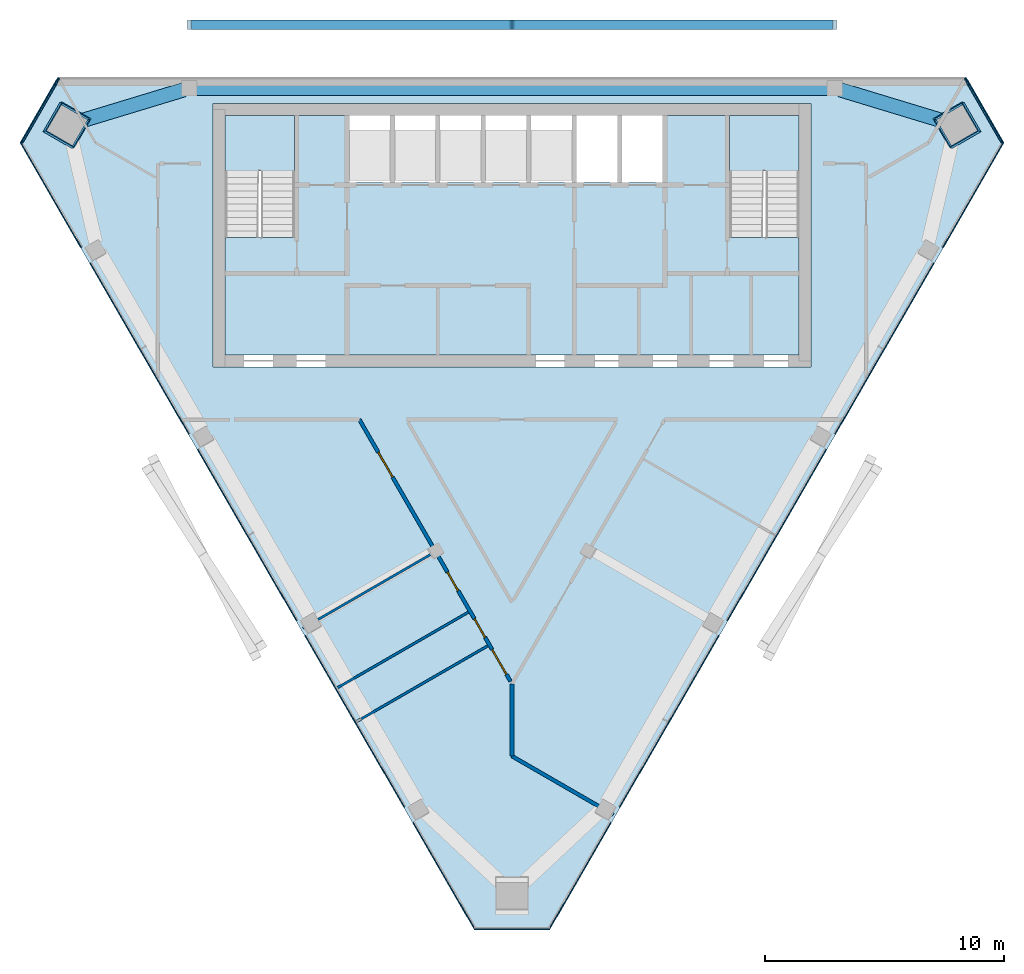
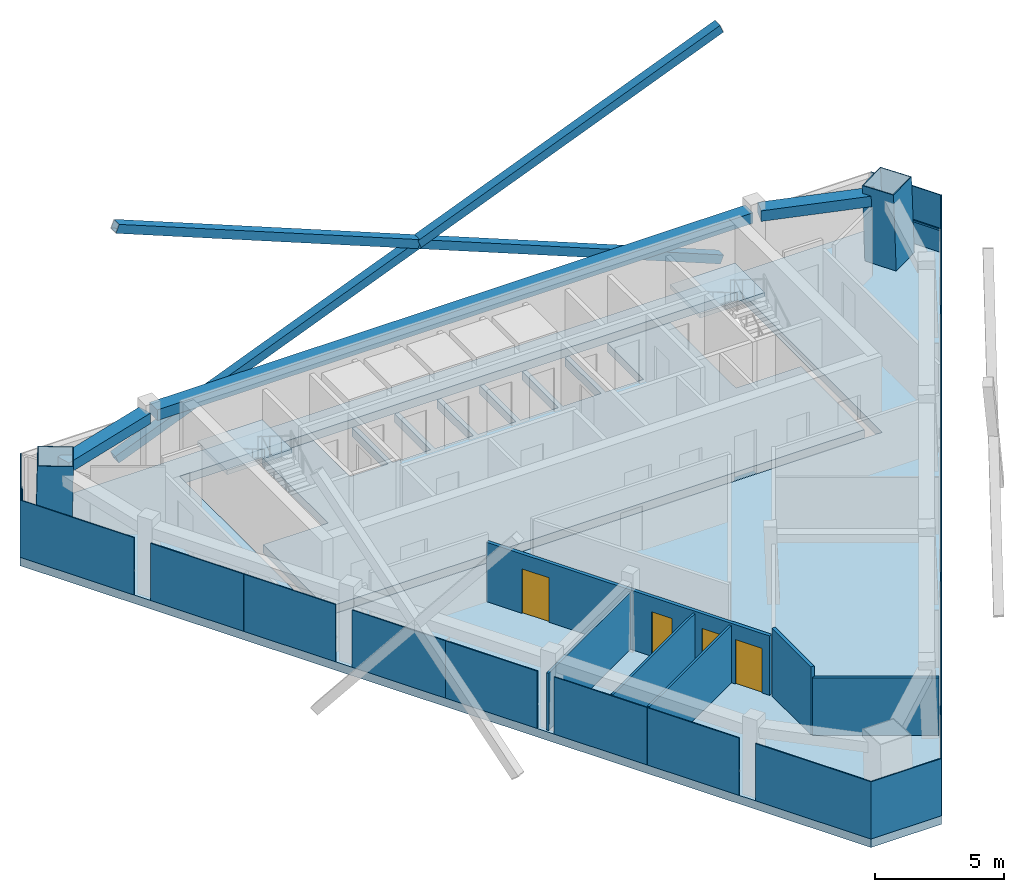
# One storey, part 5 of 10: 19 plates, 8 members, 6 walls, 4 doors, 4 slabs, 3 beams, 4 openings, 7 elements without a shape of their own.
"""IFC4 building model written with IfcOpenShell, lengths in metres."""

from ifc_helpers import new_model, si_unit, direction, frame, frame_2d, origin, origin_2d, place, context, subcontext, project, spatial, polyline, rectangle, hollow_rectangle, outline, extrude, material, layer, layer_set, material_profile, profile_set, type_object, element, fill, aggregate, save


model = new_model("IFC4")

# Units and contexts
model_context = context("Model", 3, precision=1e-05, world=origin(), true_north=direction((0.0, 1.0)))
body_context = subcontext(model_context, "Body", "Model", "MODEL_VIEW")
ifc_project = project(units=[si_unit("LENGTHUNIT", "METRE"), si_unit("AREAUNIT", "SQUARE_METRE"), si_unit("VOLUMEUNIT", "CUBIC_METRE"), si_unit("PLANEANGLEUNIT", "RADIAN"), si_unit("MASSUNIT", "GRAM", prefix="KILO")], contexts=[model_context])

# Site, building, storey
site_placement = place(None, origin())
site = spatial("IfcSite", under=ifc_project, at=site_placement, CompositionType="ELEMENT")
building_placement = place(site_placement, origin())
building = spatial("IfcBuilding", under=site, at=building_placement, Name="Altiplano Prism Tower", CompositionType="ELEMENT")
storey_placement = place(building_placement, frame((0.0, 0.0, 347.199951171875)))
storey = spatial("IfcBuildingStorey", under=building, at=storey_placement, Name="L90", CompositionType="ELEMENT", Elevation=347.199951171875)

# Curtain wall, member
ifc_material_1 = material(Name="Aluminium and glass", Category="aluminium")
ifc_layer_1 = layer(ifc_material_1, 0.303955078125)
ifc_layer_set_1 = layer_set([ifc_layer_1], Name="Aluminium and glass")
curtain_wall_type = type_object("IfcCurtainWallType", Name="CW2 lounge-band unitised glazing", PredefinedType="NOTDEFINED", material=ifc_layer_set_1)
curtain_wall_1_placement = place(storey_placement, origin())
curtain_wall_1 = element("IfcCurtainWall", 1, at=curtain_wall_1_placement, inside=storey, type_object=curtain_wall_type, Name="CW2 curtain wall north-west chamfer L90", PredefinedType="NOTDEFINED")
ifc_material_2 = material(Name="Aluminium", Category="aluminium")
ifc_material_profile_1 = material_profile(ifc_material_2, rectangle(XDim=0.06005859375, YDim=0.080078125, at=origin_2d()), Name="CW2 transom 80 x 60")
ifc_profile_set_1 = profile_set([ifc_material_profile_1], Name="Aluminium")
member_type_1 = type_object("IfcMemberType", Name="CW2 transom 80 x 60", PredefinedType="USERDEFINED", material=ifc_profile_set_1)
member_1_placement = place(storey_placement, frame((66.07421875, 104.962890625, 1.10009765625), z_axis=(-0.500010598107, -0.866019284878, 0.0), x_axis=(0.866019284878, -0.500010598107, 0.0)))
member_1 = element("IfcMember", 2, at=member_1_placement, type_object=member_type_1, Name="CW2 transom", ObjectType="TRANSOM", PredefinedType="USERDEFINED", context=body_context, shape_type="SweptSolid", body=[
    extrude(rectangle(XDim=0.06005859375, YDim=0.080078125, at=origin_2d()), origin(), (0.0, 0.0, 1.0), 3.15380859375),
])

curtain_wall_2_placement = place(storey_placement, origin())
curtain_wall_2 = element("IfcCurtainWall", 3, at=curtain_wall_2_placement, inside=storey, type_object=curtain_wall_type, Name="CW2 curtain wall north-east chamfer L90", PredefinedType="NOTDEFINED")
member_2_placement = place(storey_placement, frame((105.502685546875, 102.231689453125, 1.10009765625), z_axis=(-0.500010598107, 0.866019284878, 0.0), x_axis=(-0.866019284878, -0.500010598107, 0.0)))
member_2 = element("IfcMember", 4, at=member_2_placement, type_object=member_type_1, Name="CW2 transom", ObjectType="TRANSOM", PredefinedType="USERDEFINED", context=body_context, shape_type="SweptSolid", body=[
    extrude(rectangle(XDim=0.06005859375, YDim=0.080078125, at=origin_2d()), origin(), (0.0, 0.0, 1.0), 3.15380859375),
])

# Beams
ifc_material_3 = material(Name="Concrete C60/75", Category="concrete")
ifc_material_profile_2 = material_profile(ifc_material_3, rectangle(XDim=0.60009765625, YDim=0.5, at=origin_2d()), Name="Edge beam 600x500")
ifc_profile_set_2 = profile_set([ifc_material_profile_2], Name="Concrete C60/75")
beam_type = type_object("IfcBeamType", Name="Edge beam 600x500", PredefinedType="SPANDREL", material=ifc_profile_set_2)
beam_1_placement = place(storey_placement, frame((103.11962890625, 103.148193359375, 2.949951171875), z_axis=(-0.956907133233, 0.290394108701, 0.0), x_axis=(-0.290394108701, -0.956907133233, 0.0)))
element("IfcBeam", 5, at=beam_1_placement, inside=storey, type_object=beam_type, Name="Edge beam M2-P01 L91", PredefinedType="SPANDREL", context=body_context, shape_type="SweptSolid", body=[
    extrude(rectangle(XDim=0.60009765625, YDim=0.5, at=origin_2d()), origin(), (0.0, 0.0, 1.0), 4.60791015625),
])
beam_2_placement = place(storey_placement, frame((98.294921875, 104.550048828125, 2.949951171875), z_axis=(-1.0, 0.0, 0.0), x_axis=(0.0, -1.0, 0.0)))
element("IfcBeam", 6, at=beam_2_placement, inside=storey, type_object=beam_type, Name="Edge beam P01-P04 L91", PredefinedType="SPANDREL", context=body_context, shape_type="SweptSolid", body=[
    extrude(rectangle(XDim=0.60009765625, YDim=0.5, at=origin_2d()), origin(), (0.0, 0.0, 1.0), 26.58984375),
])
beam_3_placement = place(storey_placement, frame((71.289794921875, 104.486328125, 2.949951171875), z_axis=(-0.956907133233, -0.290394108701, 0.0), x_axis=(0.290394108701, -0.956907133233, 0.0)))
element("IfcBeam", 7, at=beam_3_placement, inside=storey, type_object=beam_type, Name="Edge beam P04-M0 L91", PredefinedType="SPANDREL", context=body_context, shape_type="SweptSolid", body=[
    extrude(rectangle(XDim=0.60009765625, YDim=0.5, at=origin_2d()), origin(), (0.0, 0.0, 1.0), 4.60791015625),
])

# Members
ifc_material_4 = material(Name="Steel S355", Category="steel")
ifc_material_profile_3 = material_profile(ifc_material_4, hollow_rectangle(XDim=0.39990234375, YDim=0.39990234375, WallThickness=0.02001953125, at=origin_2d()), Name="Mega brace Box 400x400x20")
ifc_profile_set_3 = profile_set([ifc_material_profile_3], Name="Steel S355")
member_type_2 = type_object("IfcMemberType", Name="Mega brace Box 400x400x20", PredefinedType="BRACE", material=ifc_profile_set_3)
member_3_placement = place(storey_placement, frame((98.5, 107.199951171875, -0.75), z_axis=(-0.927288859176, 0.0, 0.374346592943), x_axis=(0.0, -1.0, 0.0)))
element("IfcMember", 8, at=member_3_placement, inside=storey, type_object=member_type_2, Name="Mega brace 11.0.1", PredefinedType="BRACE", context=body_context, shape_type="SweptSolid", body=[
    extrude(hollow_rectangle(XDim=0.39990234375, YDim=0.39990234375, WallThickness=0.02001953125, at=origin_2d()), origin(), (0.0, 0.0, 1.0), 14.55859375),
])
member_4_placement = place(storey_placement, frame((85.0, 107.199951171875, 4.699951171875), z_axis=(-0.927284888264, 0.0, 0.374356429085), x_axis=(0.0, -1.0, 0.0)))
element("IfcMember", 9, at=member_4_placement, inside=storey, type_object=member_type_2, Name="Mega brace 11.0.2", PredefinedType="BRACE", context=body_context, shape_type="SweptSolid", body=[
    extrude(hollow_rectangle(XDim=0.39990234375, YDim=0.39990234375, WallThickness=0.02001953125, at=origin_2d()), origin(), (0.0, 0.0, 1.0), 14.53857421875),
])
member_5_placement = place(storey_placement, frame((71.5, 107.199951171875, -0.75), z_axis=(0.927288859176, 0.0, 0.374346592943), x_axis=(0.0, 1.0, 0.0)))
element("IfcMember", 10, at=member_5_placement, inside=storey, type_object=member_type_2, Name="Mega brace 11.0.3", PredefinedType="BRACE", context=body_context, shape_type="SweptSolid", body=[
    extrude(hollow_rectangle(XDim=0.39990234375, YDim=0.39990234375, WallThickness=0.02001953125, at=origin_2d()), origin(), (0.0, 0.0, 1.0), 14.55859375),
])
member_6_placement = place(storey_placement, frame((85.0, 107.199951171875, 4.699951171875), z_axis=(0.927284888264, 0.0, 0.374356429085), x_axis=(0.0, 1.0, 0.0)))
element("IfcMember", 11, at=member_6_placement, inside=storey, type_object=member_type_2, Name="Mega brace 11.0.4", PredefinedType="BRACE", context=body_context, shape_type="SweptSolid", body=[
    extrude(hollow_rectangle(XDim=0.39990234375, YDim=0.39990234375, WallThickness=0.02001953125, at=origin_2d()), origin(), (0.0, 0.0, 1.0), 14.53857421875),
])
ifc_material_5 = material(Name="Steel S460", Category="steel")
ifc_material_profile_4 = material_profile(ifc_material_5, hollow_rectangle(XDim=1.39990234375, YDim=1.39990234375, WallThickness=0.0400390625, at=origin_2d()), Name="Mega column tube 1400")
ifc_profile_set_4 = profile_set([ifc_material_profile_4], Name="Steel S460")
member_type_3 = type_object("IfcMemberType", Name="Mega column tube 1400", PredefinedType="POST", material=ifc_profile_set_4)
for number, where, z_axis, x_axis, name in (
    (12, (66.347412109375, 102.984375, 0.0), (0.028401814599, 0.009218727412, 0.999554076572), (-0.865125874126, 0.501157480114, 0.019960011119), "Mega column tube M0 L90"),
    (13, (103.652587890625, 102.984375, 0.0), (-0.028401814599, 0.009218727412, 0.999554076572), (0.500749996351, -0.865306994766, 0.022209141446), "Mega column tube M2 L90"),
):
    element("IfcMember", number, at=place(storey_placement, frame(where, z_axis=z_axis, x_axis=x_axis)), inside=storey, type_object=member_type_3, Name=name, PredefinedType="POST", context=body_context, shape_type="SweptSolid", body=[
        extrude(hollow_rectangle(XDim=1.39990234375, YDim=1.39990234375, WallThickness=0.0400390625, at=origin_2d()), origin(), (0.0, 0.0, 1.0), 3.601806640625),
    ])

# Plate
ifc_material_6 = material(Name="Clear glass", Category="glass")
ifc_layer_2 = layer(ifc_material_6, 0.0439453125)
ifc_layer_set_2 = layer_set([ifc_layer_2], Name="Clear glass")
plate_type = type_object("IfcPlateType", Name="CW2 insulated glass unit 44", PredefinedType="CURTAIN_PANEL", material=ifc_layer_set_2)
plate_1_placement = place(storey_placement, frame((65.24072265625, 103.623291015625, 0.0), z_axis=(0.0, 0.0, 1.0), x_axis=(-0.500000022249, -0.866025390939, 0.0)))
plate_1 = element("IfcPlate", 14, at=plate_1_placement, type_object=plate_type, Name="CW2 panel", PredefinedType="CURTAIN_PANEL", context=body_context, shape_type="SweptSolid", body=[
    extrude(rectangle(XDim=3.14404296875, YDim=0.0439453125, at=origin_2d()), origin(), (0.0, 0.0, 1.0), 2.699951171875),
])

aggregate(curtain_wall_1, [member_1, plate_1])

# Curtain wall, plates
curtain_wall_3_placement = place(storey_placement, origin())
curtain_wall_3 = element("IfcCurtainWall", 15, at=curtain_wall_3_placement, inside=storey, type_object=curtain_wall_type, Name="CW2 curtain wall south-west face L90", PredefinedType="NOTDEFINED")
plate_2_placement = place(storey_placement, frame((65.7236328125, 100.07763671875, 0.0), z_axis=(0.0, 0.0, 1.0), x_axis=(0.500000007028, -0.866025399727, 0.0)))
plate_2 = element("IfcPlate", 16, at=plate_2_placement, type_object=plate_type, Name="CW2 panel", PredefinedType="CURTAIN_PANEL", context=body_context, shape_type="SweptSolid", body=[
    extrude(rectangle(XDim=5.0751953125, YDim=0.0439453125, at=origin_2d()), origin(), (0.0, 0.0, 1.0), 2.699951171875),
])
plate_3_placement = place(storey_placement, frame((68.4033203125, 95.43603515625, 0.0), z_axis=(0.0, 0.0, 1.0), x_axis=(0.500000007028, -0.866025399727, 0.0)))
plate_3 = element("IfcPlate", 17, at=plate_3_placement, type_object=plate_type, Name="CW2 panel", PredefinedType="CURTAIN_PANEL", context=body_context, shape_type="SweptSolid", body=[
    extrude(rectangle(XDim=4.1650390625, YDim=0.0439453125, at=origin_2d()), origin(), (0.0, 0.0, 1.0), 2.699951171875),
])
plate_4_placement = place(storey_placement, frame((70.470947265625, 91.854736328125, 0.0), z_axis=(0.0, 0.0, 1.0), x_axis=(0.500000007028, -0.866025399727, 0.0)))
plate_4 = element("IfcPlate", 18, at=plate_4_placement, type_object=plate_type, Name="CW2 panel", PredefinedType="CURTAIN_PANEL", context=body_context, shape_type="SweptSolid", body=[
    extrude(rectangle(XDim=4.08544921875, YDim=0.0439453125, at=origin_2d()), origin(), (0.0, 0.0, 1.0), 2.699951171875),
])
plate_5_placement = place(storey_placement, frame((72.9033203125, 87.6416015625, 0.0), z_axis=(0.0, 0.0, 1.0), x_axis=(0.500000007028, -0.866025399727, 0.0)))
plate_5 = element("IfcPlate", 19, at=plate_5_placement, type_object=plate_type, Name="CW2 panel", PredefinedType="CURTAIN_PANEL", context=body_context, shape_type="SweptSolid", body=[
    extrude(rectangle(XDim=4.1650390625, YDim=0.0439453125, at=origin_2d()), origin(), (0.0, 0.0, 1.0), 2.699951171875),
])
plate_6_placement = place(storey_placement, frame((74.970947265625, 84.060546875, 0.0), z_axis=(0.0, 0.0, 1.0), x_axis=(0.500000007028, -0.866025399727, 0.0)))
plate_6 = element("IfcPlate", 20, at=plate_6_placement, type_object=plate_type, Name="CW2 panel", PredefinedType="CURTAIN_PANEL", context=body_context, shape_type="SweptSolid", body=[
    extrude(rectangle(XDim=4.08544921875, YDim=0.0439453125, at=origin_2d()), origin(), (0.0, 0.0, 1.0), 2.699951171875),
])
plate_7_placement = place(storey_placement, frame((77.4033203125, 79.847412109375, 0.0), z_axis=(0.0, 0.0, 1.0), x_axis=(0.500000007028, -0.866025399727, 0.0)))
plate_7 = element("IfcPlate", 21, at=plate_7_placement, type_object=plate_type, Name="CW2 panel", PredefinedType="CURTAIN_PANEL", context=body_context, shape_type="SweptSolid", body=[
    extrude(rectangle(XDim=4.1650390625, YDim=0.0439453125, at=origin_2d()), origin(), (0.0, 0.0, 1.0), 2.699951171875),
])
plate_8_placement = place(storey_placement, frame((79.470947265625, 76.266357421875, 0.0), z_axis=(0.0, 0.0, 1.0), x_axis=(0.500000007028, -0.866025399727, 0.0)))
plate_8 = element("IfcPlate", 22, at=plate_8_placement, type_object=plate_type, Name="CW2 panel", PredefinedType="CURTAIN_PANEL", context=body_context, shape_type="SweptSolid", body=[
    extrude(rectangle(XDim=4.08544921875, YDim=0.0439453125, at=origin_2d()), origin(), (0.0, 0.0, 1.0), 2.699951171875),
])
plate_9_placement = place(storey_placement, frame((82.15087890625, 71.62451171875, 0.0), z_axis=(0.0, 0.0, 1.0), x_axis=(0.500000007028, -0.866025399727, 0.0)))
plate_9 = element("IfcPlate", 23, at=plate_9_placement, type_object=plate_type, Name="CW2 panel", PredefinedType="CURTAIN_PANEL", context=body_context, shape_type="SweptSolid", body=[
    extrude(rectangle(XDim=5.15478515625, YDim=0.0439453125, at=origin_2d()), origin(), (0.0, 0.0, 1.0), 2.699951171875),
])
aggregate(curtain_wall_3, [plate_2, plate_3, plate_4, plate_5, plate_6, plate_7, plate_8, plate_9])

# Curtain wall, plate
curtain_wall_4_placement = place(storey_placement, origin())
curtain_wall_4 = element("IfcCurtainWall", 24, at=curtain_wall_4_placement, inside=storey, type_object=curtain_wall_type, Name="CW2 curtain wall south chamfer L90", PredefinedType="NOTDEFINED")
plate_10_placement = place(storey_placement, frame((85.0, 69.399169921875, 0.0), z_axis=(0.0, 0.0, 1.0), x_axis=(1.0, 0.0, 0.0)))
plate_10 = element("IfcPlate", 25, at=plate_10_placement, type_object=plate_type, Name="CW2 panel", PredefinedType="CURTAIN_PANEL", context=body_context, shape_type="SweptSolid", body=[
    extrude(rectangle(XDim=3.14404296875, YDim=0.0439453125, at=origin_2d()), origin(), (0.0, 0.0, 1.0), 2.699951171875),
])
aggregate(curtain_wall_4, [plate_10])

# Curtain wall, plates
curtain_wall_5_placement = place(storey_placement, origin())
curtain_wall_5 = element("IfcCurtainWall", 26, at=curtain_wall_5_placement, inside=storey, type_object=curtain_wall_type, Name="CW2 curtain wall south-east face L90", PredefinedType="NOTDEFINED")
plate_11_placement = place(storey_placement, frame((87.84912109375, 71.62451171875, 0.0), z_axis=(0.0, 0.0, 1.0), x_axis=(0.500000007028, 0.866025399727, 0.0)))
plate_11 = element("IfcPlate", 27, at=plate_11_placement, type_object=plate_type, Name="CW2 panel", PredefinedType="CURTAIN_PANEL", context=body_context, shape_type="SweptSolid", body=[
    extrude(rectangle(XDim=5.15478515625, YDim=0.0439453125, at=origin_2d()), origin(), (0.0, 0.0, 1.0), 2.699951171875),
])
plate_12_placement = place(storey_placement, frame((90.529052734375, 76.266357421875, 0.0), z_axis=(0.0, 0.0, 1.0), x_axis=(0.500000007028, 0.866025399727, 0.0)))
plate_12 = element("IfcPlate", 28, at=plate_12_placement, type_object=plate_type, Name="CW2 panel", PredefinedType="CURTAIN_PANEL", context=body_context, shape_type="SweptSolid", body=[
    extrude(rectangle(XDim=4.08544921875, YDim=0.0439453125, at=origin_2d()), origin(), (0.0, 0.0, 1.0), 2.699951171875),
])
plate_13_placement = place(storey_placement, frame((92.5966796875, 79.847412109375, 0.0), z_axis=(0.0, 0.0, 1.0), x_axis=(0.500000007028, 0.866025399727, 0.0)))
plate_13 = element("IfcPlate", 29, at=plate_13_placement, type_object=plate_type, Name="CW2 panel", PredefinedType="CURTAIN_PANEL", context=body_context, shape_type="SweptSolid", body=[
    extrude(rectangle(XDim=4.1650390625, YDim=0.0439453125, at=origin_2d()), origin(), (0.0, 0.0, 1.0), 2.699951171875),
])
plate_14_placement = place(storey_placement, frame((95.029052734375, 84.060546875, 0.0), z_axis=(0.0, 0.0, 1.0), x_axis=(0.500000007028, 0.866025399727, 0.0)))
plate_14 = element("IfcPlate", 30, at=plate_14_placement, type_object=plate_type, Name="CW2 panel", PredefinedType="CURTAIN_PANEL", context=body_context, shape_type="SweptSolid", body=[
    extrude(rectangle(XDim=4.08544921875, YDim=0.0439453125, at=origin_2d()), origin(), (0.0, 0.0, 1.0), 2.699951171875),
])
plate_15_placement = place(storey_placement, frame((97.0966796875, 87.6416015625, 0.0), z_axis=(0.0, 0.0, 1.0), x_axis=(0.500000007028, 0.866025399727, 0.0)))
plate_15 = element("IfcPlate", 31, at=plate_15_placement, type_object=plate_type, Name="CW2 panel", PredefinedType="CURTAIN_PANEL", context=body_context, shape_type="SweptSolid", body=[
    extrude(rectangle(XDim=4.1650390625, YDim=0.0439453125, at=origin_2d()), origin(), (0.0, 0.0, 1.0), 2.699951171875),
])
plate_16_placement = place(storey_placement, frame((99.529052734375, 91.854736328125, 0.0), z_axis=(0.0, 0.0, 1.0), x_axis=(0.500000007028, 0.866025399727, 0.0)))
plate_16 = element("IfcPlate", 32, at=plate_16_placement, type_object=plate_type, Name="CW2 panel", PredefinedType="CURTAIN_PANEL", context=body_context, shape_type="SweptSolid", body=[
    extrude(rectangle(XDim=4.08544921875, YDim=0.0439453125, at=origin_2d()), origin(), (0.0, 0.0, 1.0), 2.699951171875),
])
plate_17_placement = place(storey_placement, frame((101.5966796875, 95.43603515625, 0.0), z_axis=(0.0, 0.0, 1.0), x_axis=(0.500000007028, 0.866025399727, 0.0)))
plate_17 = element("IfcPlate", 33, at=plate_17_placement, type_object=plate_type, Name="CW2 panel", PredefinedType="CURTAIN_PANEL", context=body_context, shape_type="SweptSolid", body=[
    extrude(rectangle(XDim=4.1650390625, YDim=0.0439453125, at=origin_2d()), origin(), (0.0, 0.0, 1.0), 2.699951171875),
])
plate_18_placement = place(storey_placement, frame((104.2763671875, 100.07763671875, 0.0), z_axis=(0.0, 0.0, 1.0), x_axis=(0.500000007028, 0.866025399727, 0.0)))
plate_18 = element("IfcPlate", 34, at=plate_18_placement, type_object=plate_type, Name="CW2 panel", PredefinedType="CURTAIN_PANEL", context=body_context, shape_type="SweptSolid", body=[
    extrude(rectangle(XDim=5.0751953125, YDim=0.0439453125, at=origin_2d()), origin(), (0.0, 0.0, 1.0), 2.699951171875),
])
aggregate(curtain_wall_5, [plate_11, plate_12, plate_13, plate_14, plate_15, plate_16, plate_17, plate_18])

# Plate
plate_19_placement = place(storey_placement, frame((104.75927734375, 103.623291015625, 0.0), z_axis=(0.0, 0.0, 1.0), x_axis=(-0.500000022249, 0.866025390939, 0.0)))
plate_19 = element("IfcPlate", 35, at=plate_19_placement, type_object=plate_type, Name="CW2 panel", PredefinedType="CURTAIN_PANEL", context=body_context, shape_type="SweptSolid", body=[
    extrude(rectangle(XDim=3.14404296875, YDim=0.0439453125, at=origin_2d()), origin(), (0.0, 0.0, 1.0), 2.699951171875),
])

aggregate(curtain_wall_2, [member_2, plate_19])

# Slabs
ifc_material_7 = material(Name="Concrete C40/50", Category="concrete")
ifc_layer_3 = layer(ifc_material_7, 0.39990234375)
ifc_layer_set_3 = layer_set([ifc_layer_3], Name="Concrete C40/50")
slab_type_1 = type_object("IfcSlabType", Name="Core floor slab 400", PredefinedType="FLOOR", material=ifc_layer_set_3)
slab_1_placement = place(storey_placement, frame((0.0, 0.0, -0.39990234375)))
element("IfcSlab", 36, at=slab_1_placement, inside=storey, type_object=slab_type_1, Name="Core floor slab L90", PredefinedType="FLOOR", context=body_context, shape_type="SweptSolid", body=[
    extrude(outline(polyline([(97.0, 98.31005859375), (94.10009765625, 98.31005859375), (94.10009765625, 103.39990234375), (91.300048828125, 103.39990234375), (91.300048828125, 100.60009765625), (89.60009765625, 100.60009765625), (89.60009765625, 103.39990234375), (89.39990234375, 103.39990234375), (89.39990234375, 100.60009765625), (87.699951171875, 100.60009765625), (87.699951171875, 103.39990234375), (87.5, 103.39990234375), (87.5, 100.60009765625), (85.800048828125, 100.60009765625), (85.800048828125, 103.39990234375), (85.60009765625, 103.39990234375), (85.60009765625, 100.60009765625), (83.89990234375, 100.60009765625), (83.89990234375, 103.39990234375), (83.699951171875, 103.39990234375), (83.699951171875, 100.60009765625), (82.0, 100.60009765625), (82.0, 103.39990234375), (81.800048828125, 103.39990234375), (81.800048828125, 100.60009765625), (80.10009765625, 100.60009765625), (80.10009765625, 103.39990234375), (79.89990234375, 103.39990234375), (79.89990234375, 100.60009765625), (78.199951171875, 100.60009765625), (78.199951171875, 103.39990234375), (75.89990234375, 103.39990234375), (75.89990234375, 98.31005859375), (73.0, 98.31005859375), (73.0, 93.39990234375), (97.0, 93.39990234375), (97.0, 98.31005859375)])), origin(), (0.0, 0.0, 1.0), 0.39990234375),
])
ifc_layer_4 = layer(ifc_material_7, 0.39990234375)
ifc_layer_set_4 = layer_set([ifc_layer_4], Name="Concrete C40/50")
slab_type_2 = type_object("IfcSlabType", Name="Post-tensioned flat slab 400", PredefinedType="FLOOR", material=ifc_layer_set_4)
slab_2_placement = place(storey_placement, frame((0.0, 0.0, -0.39990234375)))
element("IfcSlab", 37, at=slab_2_placement, inside=storey, type_object=slab_type_2, Name="Floor slab L90", PredefinedType="FLOOR", context=body_context, shape_type="SweptSolid", body=[
    extrude(outline(polyline([(105.56689453125, 102.2685546875), (86.576904296875, 69.377197265625), (83.423095703125, 69.377197265625), (64.43310546875, 102.2685546875), (66.01025390625, 105.0), (103.98974609375, 105.0), (105.56689453125, 102.2685546875)]), holes=[polyline([(97.5, 92.89990234375), (97.5, 103.89990234375), (72.5, 103.89990234375), (72.5, 92.89990234375), (97.5, 92.89990234375)])]), origin(), (0.0, 0.0, 1.0), 0.39990234375),
])

# Stair, slab
stair_type = type_object("IfcStairType", Name="Exit stair 1400", PredefinedType="HALF_TURN_STAIR", material=ifc_material_7)
stair_1_placement = place(storey_placement, origin())
stair_1 = element("IfcStair", 38, at=stair_1_placement, inside=storey, type_object=stair_type, Name="L90 Exit Stair 1", PredefinedType="HALF_TURN_STAIR")
ifc_layer_5 = layer(ifc_material_7, 0.199951171875)
ifc_layer_set_5 = layer_set([ifc_layer_5], Name="Concrete C40/50")
slab_type_3 = type_object("IfcSlabType", Name="Stair landing 200", PredefinedType="LANDING", material=ifc_layer_set_5)
slab_3_placement = place(storey_placement, frame((0.0, 0.0, 1.60009765625)))
slab_3 = element("IfcSlab", 39, at=slab_3_placement, type_object=slab_type_3, Name="ST1 landing 1", PredefinedType="LANDING", context=body_context, shape_type="SweptSolid", body=[
    extrude(outline(polyline([(75.89990234375, 101.096923828125), (75.89990234375, 103.39990234375), (73.0, 103.39990234375), (73.0, 101.096923828125), (75.89990234375, 101.096923828125)])), origin(), (0.0, 0.0, 1.0), 0.199951171875),
])
aggregate(stair_1, [slab_3])

stair_2_placement = place(storey_placement, origin())
stair_2 = element("IfcStair", 40, at=stair_2_placement, inside=storey, type_object=stair_type, Name="L90 Exit Stair 2", PredefinedType="HALF_TURN_STAIR")
slab_4_placement = place(storey_placement, frame((0.0, 0.0, 1.60009765625)))
slab_4 = element("IfcSlab", 41, at=slab_4_placement, type_object=slab_type_3, Name="ST2 landing 1", PredefinedType="LANDING", context=body_context, shape_type="SweptSolid", body=[
    extrude(outline(polyline([(97.0, 101.096923828125), (97.0, 103.39990234375), (94.10009765625, 103.39990234375), (94.10009765625, 101.096923828125), (97.0, 101.096923828125)])), origin(), (0.0, 0.0, 1.0), 0.199951171875),
])
aggregate(stair_2, [slab_4])

# Walls
ifc_material_8 = material(Name="Plasterboard on steel stud", Category="steel")
ifc_layer_6 = layer(ifc_material_8, 0.10009765625)
ifc_layer_set_6 = layer_set([ifc_layer_6], Name="Plasterboard on steel stud")
wall_type_1 = type_object("IfcWallType", Name="Partition 100 wet", PredefinedType="PARTITIONING", material=ifc_layer_set_6)
wall_1_placement = place(storey_placement, frame((76.2646484375, 81.975830078125, 0.0), z_axis=(0.0, 0.0, 1.0), x_axis=(0.866032601554, 0.49998753289, 0.0)))
element("IfcWall", 42, at=wall_1_placement, inside=storey, type_object=wall_type_1, Name="Partition P03 L90 015", PredefinedType="PARTITIONING", context=body_context, shape_type="SweptSolid", body=[
    extrude(rectangle(XDim=6.324951171875, YDim=0.10009765625, at=frame_2d((3.16259765625, 0.0))), origin(), (0.0, 0.0, 1.0), 2.699951171875),
])
wall_2_placement = place(storey_placement, frame((77.68896484375, 79.47705078125, 0.0), z_axis=(0.0, 0.0, 1.0), x_axis=(0.866031065609, 0.499990193304, 0.0)))
element("IfcWall", 43, at=wall_2_placement, inside=storey, type_object=wall_type_1, Name="Partition P03 L90 016", PredefinedType="PARTITIONING", context=body_context, shape_type="SweptSolid", body=[
    extrude(rectangle(XDim=6.341064453125, YDim=0.10009765625, at=frame_2d((3.17041015625, 0.0))), origin(), (0.0, 0.0, 1.0), 2.699951171875),
])
wall_3_placement = place(storey_placement, frame((78.5146484375, 78.07861328125, 0.0), z_axis=(0.0, 0.0, 1.0), x_axis=(0.866025537322, 0.499999768706, 0.0)))
element("IfcWall", 44, at=wall_3_placement, inside=storey, type_object=wall_type_1, Name="Partition P03 L90 017", PredefinedType="PARTITIONING", context=body_context, shape_type="SweptSolid", body=[
    extrude(rectangle(XDim=6.3251953125, YDim=0.10009765625, at=frame_2d((3.16259765625, 0.0))), origin(), (0.0, 0.0, 1.0), 2.699951171875),
])

# Wall, openings, doors
ifc_layer_7 = layer(ifc_material_8, 0.14990234375)
ifc_layer_set_7 = layer_set([ifc_layer_7], Name="Plasterboard on steel stud")
wall_type_2 = type_object("IfcWallType", Name="Partition 150 corridor", PredefinedType="PARTITIONING", material=ifc_layer_set_7)
wall_4_placement = place(storey_placement, frame((78.617919921875, 90.699951171875, 0.0), z_axis=(0.0, 0.0, 1.0), x_axis=(0.499998449073, -0.866026299211, 0.0)))
wall_4 = element("IfcWall", 45, at=wall_4_placement, inside=storey, type_object=wall_type_2, Name="Partition P06 L90 004", PredefinedType="PARTITIONING", context=body_context, shape_type="SweptSolid", body=[
    extrude(rectangle(XDim=12.63427734375, YDim=0.14990234375, at=frame_2d((6.317138671875, 0.0))), origin(), (0.0, 0.0, 1.0), 2.800048828125),
])
opening_1_placement = place(wall_4_placement, frame((1.5810546875, 0.0, 0.0)))
opening_1 = element("IfcOpeningElement", 46, at=opening_1_placement, cuts=wall_4, Name="Opening D2521", PredefinedType="OPENING", context=body_context, shape_type="SweptSolid", body=[
    extrude(rectangle(XDim=1.199951171875, YDim=2.10009765625, at=frame_2d((0.60009765625, 1.050048828125))), frame((0.0, 0.08544921875, 0.0), z_axis=(0.0, -1.0, 0.0), x_axis=(1.0, 0.0, 0.0)), (0.0, 0.0, 1.0), 0.1708984375),
])
opening_2_placement = place(wall_4_placement, frame((7.366943359375, 0.0, 0.0)))
opening_2 = element("IfcOpeningElement", 47, at=opening_2_placement, cuts=wall_4, Name="Opening D2522", PredefinedType="OPENING", context=body_context, shape_type="SweptSolid", body=[
    extrude(rectangle(XDim=0.89990234375, YDim=2.10009765625, at=frame_2d((0.449951171875, 1.050048828125))), frame((0.0, 0.08544921875, 0.0), z_axis=(0.0, -1.0, 0.0), x_axis=(1.0, 0.0, 0.0)), (0.0, 0.0, 1.0), 0.1708984375),
])
opening_3_placement = place(wall_4_placement, frame((9.616943359375, 0.0, 0.0)))
opening_3 = element("IfcOpeningElement", 48, at=opening_3_placement, cuts=wall_4, Name="Opening D2523", PredefinedType="OPENING", context=body_context, shape_type="SweptSolid", body=[
    extrude(rectangle(XDim=0.89990234375, YDim=2.10009765625, at=frame_2d((0.449951171875, 1.050048828125))), frame((0.0, 0.08544921875, 0.0), z_axis=(0.0, -1.0, 0.0), x_axis=(1.0, 0.0, 0.0)), (0.0, 0.0, 1.0), 0.1708984375),
])
opening_4_placement = place(wall_4_placement, frame((11.09912109375, 0.0, 0.0)))
opening_4 = element("IfcOpeningElement", 49, at=opening_4_placement, cuts=wall_4, Name="Opening D2524", PredefinedType="OPENING", context=body_context, shape_type="SweptSolid", body=[
    extrude(rectangle(XDim=1.199951171875, YDim=2.10009765625, at=frame_2d((0.60009765625, 1.050048828125))), frame((0.0, 0.08544921875, 0.0), z_axis=(0.0, -1.0, 0.0), x_axis=(1.0, 0.0, 0.0)), (0.0, 0.0, 1.0), 0.1708984375),
])
ifc_material_9 = material(Name="Timber", Category="wood")
door_type_1 = type_object("IfcDoorType", Name="Shared room door 1200 x 2100", OperationType="NOTDEFINED", PredefinedType="NOTDEFINED", material=ifc_material_9)
door_1_placement = place(opening_1_placement, origin())
door_1 = element("IfcDoor", 50, at=door_1_placement, inside=storey, type_object=door_type_1, Name="Door D2521", OperationType="SINGLE_SWING_RIGHT", OverallHeight=2.10009765625, OverallWidth=1.199951171875, PredefinedType="NOTDEFINED", context=body_context, shape_type="SweptSolid", body=[
    extrude(rectangle(XDim=1.199951171875, YDim=2.10009765625, at=frame_2d((0.60009765625, 1.050048828125))), frame((0.0, 0.02490234375, 0.0), z_axis=(0.0, -1.0, 0.0), x_axis=(1.0, 0.0, 0.0)), (0.0, 0.0, 1.0), 0.050048828125),
])
fill(opening_1, door_1)
door_2_placement = place(opening_4_placement, origin())
door_2 = element("IfcDoor", 51, at=door_2_placement, inside=storey, type_object=door_type_1, Name="Door D2524", OperationType="SINGLE_SWING_LEFT", OverallHeight=2.10009765625, OverallWidth=1.199951171875, PredefinedType="NOTDEFINED", context=body_context, shape_type="SweptSolid", body=[
    extrude(rectangle(XDim=1.199951171875, YDim=2.10009765625, at=frame_2d((0.60009765625, 1.050048828125))), frame((0.0, 0.02490234375, 0.0), z_axis=(0.0, -1.0, 0.0), x_axis=(1.0, 0.0, 0.0)), (0.0, 0.0, 1.0), 0.050048828125),
])
fill(opening_4, door_2)
door_type_2 = type_object("IfcDoorType", Name="Toilet door 900 x 2100", OperationType="NOTDEFINED", PredefinedType="NOTDEFINED", material=ifc_material_9)
door_3_placement = place(opening_2_placement, origin())
door_3 = element("IfcDoor", 52, at=door_3_placement, inside=storey, type_object=door_type_2, Name="Door D2522", OperationType="SINGLE_SWING_LEFT", OverallHeight=2.10009765625, OverallWidth=0.89990234375, PredefinedType="NOTDEFINED", context=body_context, shape_type="SweptSolid", body=[
    extrude(rectangle(XDim=0.89990234375, YDim=2.10009765625, at=frame_2d((0.449951171875, 1.050048828125))), frame((0.0, 0.02490234375, 0.0), z_axis=(0.0, -1.0, 0.0), x_axis=(1.0, 0.0, 0.0)), (0.0, 0.0, 1.0), 0.050048828125),
])
fill(opening_2, door_3)
door_4_placement = place(opening_3_placement, origin())
door_4 = element("IfcDoor", 53, at=door_4_placement, inside=storey, type_object=door_type_2, Name="Door D2523", OperationType="SINGLE_SWING_RIGHT", OverallHeight=2.10009765625, OverallWidth=0.89990234375, PredefinedType="NOTDEFINED", context=body_context, shape_type="SweptSolid", body=[
    extrude(rectangle(XDim=0.89990234375, YDim=2.10009765625, at=frame_2d((0.449951171875, 1.050048828125))), frame((0.0, 0.02490234375, 0.0), z_axis=(0.0, -1.0, 0.0), x_axis=(1.0, 0.0, 0.0)), (0.0, 0.0, 1.0), 0.050048828125),
])
fill(opening_3, door_4)

# Walls
ifc_layer_8 = layer(ifc_material_8, 0.14990234375)
ifc_layer_set_8 = layer_set([ifc_layer_8], Name="Plasterboard on steel stud")
wall_type_3 = type_object("IfcWallType", Name="Partition 150 party", PredefinedType="PARTITIONING", material=ifc_layer_set_8)
wall_5_placement = place(storey_placement, frame((89.2353515625, 74.181640625, 0.0), z_axis=(0.0, 0.0, 1.0), x_axis=(-0.866044263172, 0.49996733316, 0.0)))
element("IfcWall", 54, at=wall_5_placement, inside=storey, type_object=wall_type_3, Name="Partition P01 L90 018", PredefinedType="PARTITIONING", context=body_context, shape_type="SweptSolid", body=[
    extrude(rectangle(XDim=4.890380859375, YDim=0.14990234375, at=frame_2d((2.4453125, 0.0))), origin(), (0.0, 0.0, 1.0), 2.699951171875),
])
wall_6_placement = place(storey_placement, frame((85.0, 76.626708984375, 0.0), z_axis=(0.0, 0.0, 1.0), x_axis=(0.0, 1.0, 0.0)))
element("IfcWall", 55, at=wall_6_placement, inside=storey, type_object=wall_type_3, Name="Partition P01 L90 019", PredefinedType="PARTITIONING", context=body_context, shape_type="SweptSolid", body=[
    extrude(rectangle(XDim=3.01904296875, YDim=0.14990234375, at=frame_2d((1.509521484375, 0.0))), origin(), (0.0, 0.0, 1.0), 3.199951171875),
])

save(model, "model.ifc")
